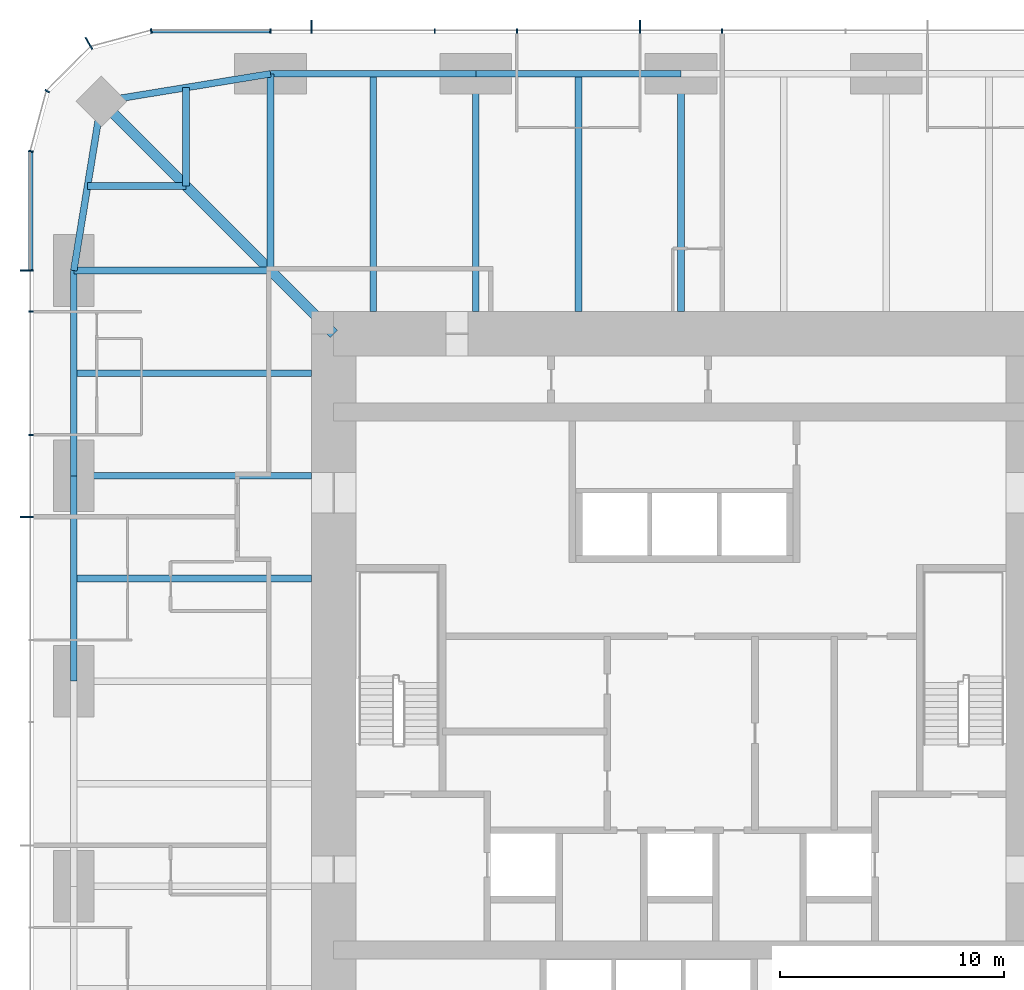
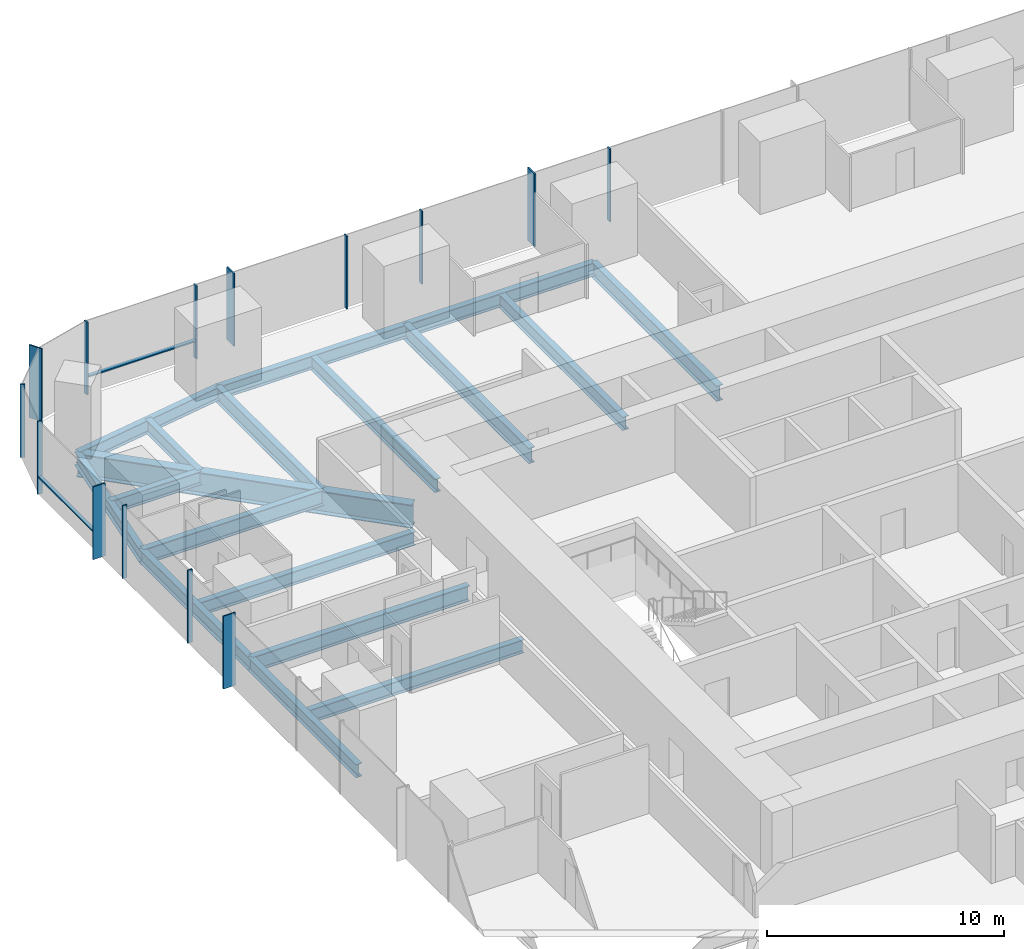
# One storey, part 5 of 13: 18 beams, 16 members, 3 elements without a shape of their own.
"""IFC4 building model written with IfcOpenShell, lengths in metres."""

from ifc_helpers import new_model, si_unit, direction, frame, origin, origin_2d, place, context, subcontext, project, spatial, rectangle, i_section, extrude, material, material_profile, profile_set, type_object, element, aggregate, save


model = new_model("IFC4")

# Units and contexts
model_context = context("Model", 3, precision=1e-05, world=origin(), true_north=direction((0.0, 1.0)))
body_context = subcontext(model_context, "Body", "Model", "MODEL_VIEW")
ifc_project = project(units=[si_unit("LENGTHUNIT", "METRE"), si_unit("AREAUNIT", "SQUARE_METRE"), si_unit("VOLUMEUNIT", "CUBIC_METRE"), si_unit("PLANEANGLEUNIT", "RADIAN"), si_unit("MASSUNIT", "GRAM", prefix="KILO")], contexts=[model_context])

# Site, building, storey
site_placement = place(None, origin())
site = spatial("IfcSite", under=ifc_project, at=site_placement, CompositionType="ELEMENT")
building_placement = place(site_placement, origin())
building = spatial("IfcBuilding", under=site, at=building_placement, Name="Khuree Lantern Residences", CompositionType="ELEMENT")
storey_placement = place(building_placement, frame((0.0, 0.0, 126.0)))
storey = spatial("IfcBuildingStorey", under=building, at=storey_placement, Name="L31", CompositionType="ELEMENT", Elevation=126.0)

# Beams
ifc_material_1 = material(Name="Steel S355", Category="steel")
ifc_material_profile_1 = material_profile(ifc_material_1, i_section(OverallWidth=0.300048828125, OverallDepth=0.68994140625, WebThickness=0.014404296875, FlangeThickness=0.027099609375, FilletRadius=0.027099609375, at=origin_2d()), Name="HE 700 A")
ifc_profile_set_1 = profile_set([ifc_material_profile_1], Name="Steel S355")
beam_type_1 = type_object("IfcBeamType", Name="B-22 SECONDARY BEAM HE 700 A", PredefinedType="BEAM", material=ifc_profile_set_1)
for number, where, z_axis, x_axis, name in (
    (1, (-13.739990234375, 27.10009765625, -0.594970703125), (0.0, -1.0, 0.0), (1.0, 0.0, 0.0), "Secondary beam N1"),
    (2, (-4.580078125, 27.10009765625, -0.594970703125), (0.0, -1.0, 0.0), (1.0, 0.0, 0.0), "Secondary beam N2"),
    (3, (-27.10009765625, 4.580078125, -0.594970703125), (1.0, 0.0, 0.0), (0.0, 1.0, 0.0), "Secondary beam W4"),
    (4, (-27.10009765625, 13.739990234375, -0.594970703125), (1.0, 0.0, 0.0), (0.0, 1.0, 0.0), "Secondary beam W5"),
):
    element("IfcBeam", number, at=place(storey_placement, frame(where, z_axis=z_axis, x_axis=x_axis)), inside=storey, type_object=beam_type_1, Name=name, PredefinedType="BEAM", context=body_context, shape_type="SweptSolid", body=[
        extrude(i_section(OverallWidth=0.300048828125, OverallDepth=0.68994140625, WebThickness=0.014404296875, FlangeThickness=0.027099609375, FilletRadius=0.027099609375, at=origin_2d()), origin(), (0.0, 0.0, 1.0), 10.60009765625),
    ])
for number, where, z_axis, x_axis, name in (
    (5, (-26.48486328125, 22.094970703125, -0.594970703125), (1.0, 0.0, 0.0), (0.0, 1.0, 0.0), "Secondary beam W6"),
    (6, (-22.094970703125, 26.48486328125, -0.594970703125), (0.0, -1.0, 0.0), (1.0, 0.0, 0.0), "Secondary beam N6"),
):
    element("IfcBeam", number, at=place(storey_placement, frame(where, z_axis=z_axis, x_axis=x_axis)), inside=storey, type_object=beam_type_1, Name=name, PredefinedType="BEAM", context=body_context, shape_type="SweptSolid", body=[
        extrude(i_section(OverallWidth=0.300048828125, OverallDepth=0.68994140625, WebThickness=0.014404296875, FlangeThickness=0.027099609375, FilletRadius=0.027099609375, at=origin_2d()), origin(), (0.0, 0.0, 1.0), 4.389892578125),
    ])
ifc_material_profile_2 = material_profile(ifc_material_1, i_section(OverallWidth=0.300048828125, OverallDepth=0.68994140625, WebThickness=0.014404296875, FlangeThickness=0.027099609375, FilletRadius=0.027099609375, at=origin_2d()), Name="HE 700 A")
ifc_profile_set_2 = profile_set([ifc_material_profile_2], Name="Steel S355")
beam_type_2 = type_object("IfcBeamType", Name="E-22 SPANDREL BEAM HE 700 A", PredefinedType="SPANDREL", material=ifc_profile_set_2)
beam_1_placement = place(storey_placement, frame((-18.320068359375, 27.10009765625, -0.594970703125), z_axis=(1.0, 0.0, 0.0), x_axis=(0.0, 1.0, 0.0)))
element("IfcBeam", 7, at=beam_1_placement, inside=storey, type_object=beam_type_2, Name="Spandrel beam N1", PredefinedType="SPANDREL", context=body_context, shape_type="SweptSolid", body=[
    extrude(i_section(OverallWidth=0.300048828125, OverallDepth=0.68994140625, WebThickness=0.014404296875, FlangeThickness=0.027099609375, FilletRadius=0.027099609375, at=origin_2d()), origin(), (0.0, 0.0, 1.0), 9.16015625),
])
for number, where, z_axis, x_axis, name in (
    (8, (-9.159912109375, 27.10009765625, -0.594970703125), (1.0, 0.0, 0.0), (0.0, 1.0, 0.0), "Spandrel beam N2"),
    (9, (-27.10009765625, 0.0, -0.594970703125), (0.0, 1.0, 0.0), (-1.0, 0.0, 0.0), "Spandrel beam W4"),
):
    element("IfcBeam", number, at=place(storey_placement, frame(where, z_axis=z_axis, x_axis=x_axis)), inside=storey, type_object=beam_type_2, Name=name, PredefinedType="SPANDREL", context=body_context, shape_type="SweptSolid", body=[
        extrude(i_section(OverallWidth=0.300048828125, OverallDepth=0.68994140625, WebThickness=0.014404296875, FlangeThickness=0.027099609375, FilletRadius=0.027099609375, at=origin_2d()), origin(), (0.0, 0.0, 1.0), 9.159912109375),
    ])
beam_2_placement = place(storey_placement, frame((-27.10009765625, 9.159912109375, -0.594970703125), z_axis=(0.0, 1.0, 0.0), x_axis=(-1.0, 0.0, 0.0)))
element("IfcBeam", 10, at=beam_2_placement, inside=storey, type_object=beam_type_2, Name="Spandrel beam W5", PredefinedType="SPANDREL", context=body_context, shape_type="SweptSolid", body=[
    extrude(i_section(OverallWidth=0.300048828125, OverallDepth=0.68994140625, WebThickness=0.014404296875, FlangeThickness=0.027099609375, FilletRadius=0.027099609375, at=origin_2d()), origin(), (0.0, 0.0, 1.0), 9.16015625),
])
for number, where, z_axis, x_axis, name in (
    (11, (-27.10009765625, 18.320068359375, -0.594970703125), (0.160826723833, 0.986982656839, 0.0), (-0.986982656839, 0.160826723833, 0.0), "Spandrel beam W6"),
    (12, (-25.869873046875, 25.869873046875, -0.594970703125), (0.986982656839, 0.160826723833, 0.0), (-0.160826723833, 0.986982656839, 0.0), "Spandrel beam N6"),
):
    element("IfcBeam", number, at=place(storey_placement, frame(where, z_axis=z_axis, x_axis=x_axis)), inside=storey, type_object=beam_type_2, Name=name, PredefinedType="SPANDREL", context=body_context, shape_type="SweptSolid", body=[
        extrude(i_section(OverallWidth=0.300048828125, OverallDepth=0.68994140625, WebThickness=0.014404296875, FlangeThickness=0.027099609375, FilletRadius=0.027099609375, at=origin_2d()), origin(), (0.0, 0.0, 1.0), 7.6494140625),
    ])

# Curtain wall, members
ifc_material_2 = material(Name="Bronze anodised aluminium", Category="aluminium")
curtain_wall_type_1 = type_object("IfcCurtainWallType", Name="CW-T1 TOWER FACE CURTAIN WALL", PredefinedType="USERDEFINED", material=ifc_material_2)
curtain_wall_1_placement = place(storey_placement, origin())
curtain_wall_1 = element("IfcCurtainWall", 13, at=curtain_wall_1_placement, inside=storey, type_object=curtain_wall_type_1, Name="L31 NORTH FACE CURTAIN WALL", ObjectType="Stick-built curtain wall", PredefinedType="USERDEFINED")
ifc_material_profile_3 = material_profile(ifc_material_2, rectangle(XDim=0.06494140625, YDim=0.60009765625, at=origin_2d()), Name="F1 65X600")
ifc_profile_set_3 = profile_set([ifc_material_profile_3], Name="Bronze anodised aluminium")
member_type_1 = type_object("IfcMemberType", Name="F1 BRONZE FIN MULLION TOWER 65X600", PredefinedType="MULLION", material=ifc_profile_set_3)
member_1_placement = place(storey_placement, frame((-1.83203125, 29.199951171875, 0.0), z_axis=(0.0, 0.0, 1.0), x_axis=(-1.0, 0.0, 0.0)))
member_1 = element("IfcMember", 14, at=member_1_placement, type_object=member_type_1, Name="L31 NORTH FACE FIN MULLION 24", PredefinedType="MULLION", context=body_context, shape_type="SweptSolid", body=[
    extrude(rectangle(XDim=0.06494140625, YDim=0.60009765625, at=origin_2d()), origin(), (0.0, 0.0, 1.0), 3.75),
])
member_2_placement = place(storey_placement, frame((-16.488037109375, 29.199951171875, 0.0), z_axis=(0.0, 0.0, 1.0), x_axis=(-1.0, 0.0, 0.0)))
member_2 = element("IfcMember", 15, at=member_2_placement, type_object=member_type_1, Name="L31 NORTH FACE FIN MULLION 27", PredefinedType="MULLION", context=body_context, shape_type="SweptSolid", body=[
    extrude(rectangle(XDim=0.06494140625, YDim=0.60009765625, at=origin_2d()), origin(), (0.0, 0.0, 1.0), 3.75),
])

# Curtain wall, member
curtain_wall_type_2 = type_object("IfcCurtainWallType", Name="CW-T2 TOWER CORNER CURTAIN WALL", PredefinedType="USERDEFINED", material=ifc_material_2)
curtain_wall_2_placement = place(storey_placement, origin())
curtain_wall_2 = element("IfcCurtainWall", 16, at=curtain_wall_2_placement, inside=storey, type_object=curtain_wall_type_2, Name="L31 NORTH-WEST CORNER CURTAIN WALL", ObjectType="Faceted corner curtain wall", PredefinedType="USERDEFINED")
member_3_placement = place(storey_placement, frame((-26.425048828125, 28.45654296875, 0.0), z_axis=(0.0, 0.0, 1.0), x_axis=(-0.866025388199, -0.500000026995, 0.0)))
member_3 = element("IfcMember", 17, at=member_3_placement, type_object=member_type_1, Name="L31 NORTH-WEST CORNER FIN MULLION 30", PredefinedType="MULLION", context=body_context, shape_type="SweptSolid", body=[
    extrude(rectangle(XDim=0.06494140625, YDim=0.60009765625, at=origin_2d()), origin(), (0.0, 0.0, 1.0), 3.75),
])

# Curtain wall, members
curtain_wall_3_placement = place(storey_placement, origin())
curtain_wall_3 = element("IfcCurtainWall", 18, at=curtain_wall_3_placement, inside=storey, type_object=curtain_wall_type_1, Name="L31 WEST FACE CURTAIN WALL", ObjectType="Stick-built curtain wall", PredefinedType="USERDEFINED")
member_4_placement = place(storey_placement, frame((-29.199951171875, 18.320068359375, 0.0), z_axis=(0.0, 0.0, 1.0), x_axis=(0.0, -1.0, 0.0)))
member_4 = element("IfcMember", 19, at=member_4_placement, type_object=member_type_1, Name="L31 WEST FACE FIN MULLION 33", PredefinedType="MULLION", context=body_context, shape_type="SweptSolid", body=[
    extrude(rectangle(XDim=0.06494140625, YDim=0.60009765625, at=origin_2d()), origin(), (0.0, 0.0, 1.0), 3.75),
])
member_5_placement = place(storey_placement, frame((-29.199951171875, 7.327880859375, 0.0), z_axis=(0.0, 0.0, 1.0), x_axis=(0.0, -1.0, 0.0)))
member_5 = element("IfcMember", 20, at=member_5_placement, type_object=member_type_1, Name="L31 WEST FACE FIN MULLION 36", PredefinedType="MULLION", context=body_context, shape_type="SweptSolid", body=[
    extrude(rectangle(XDim=0.06494140625, YDim=0.60009765625, at=origin_2d()), origin(), (0.0, 0.0, 1.0), 3.75),
])

# Beams
ifc_material_profile_4 = material_profile(ifc_material_1, i_section(OverallWidth=0.300048828125, OverallDepth=0.800048828125, WebThickness=0.017578125, FlangeThickness=0.032958984375, FilletRadius=0.030029296875, at=origin_2d()), Name="HE 800 B")
ifc_profile_set_4 = profile_set([ifc_material_profile_4], Name="Steel S355")
beam_type_3 = type_object("IfcBeamType", Name="G-22 GIRDER HE 800 B", PredefinedType="BEAM", material=ifc_profile_set_4)
beam_3_placement = place(storey_placement, frame((-18.320068359375, 27.10009765625, -0.64990234375), z_axis=(0.0, -1.0, 0.0), x_axis=(1.0, 0.0, 0.0)))
element("IfcBeam", 21, at=beam_3_placement, inside=storey, type_object=beam_type_3, Name="Girder N1", PredefinedType="BEAM", context=body_context, shape_type="SweptSolid", body=[
    extrude(i_section(OverallWidth=0.300048828125, OverallDepth=0.800048828125, WebThickness=0.017578125, FlangeThickness=0.032958984375, FilletRadius=0.030029296875, at=origin_2d()), origin(), (0.0, 0.0, 1.0), 8.780029296875),
])
for number, where, z_axis, x_axis, name in (
    (22, (-9.159912109375, 27.10009765625, -0.64990234375), (0.0, -1.0, 0.0), (1.0, 0.0, 0.0), "Girder N2"),
    (23, (0.0, 27.10009765625, -0.64990234375), (0.0, -1.0, 0.0), (1.0, 0.0, 0.0), "Girder N3"),
    (24, (-27.10009765625, 9.159912109375, -0.64990234375), (1.0, 0.0, 0.0), (0.0, 1.0, 0.0), "Girder W4"),
):
    element("IfcBeam", number, at=place(storey_placement, frame(where, z_axis=z_axis, x_axis=x_axis)), inside=storey, type_object=beam_type_3, Name=name, PredefinedType="BEAM", context=body_context, shape_type="SweptSolid", body=[
        extrude(i_section(OverallWidth=0.300048828125, OverallDepth=0.800048828125, WebThickness=0.017578125, FlangeThickness=0.032958984375, FilletRadius=0.030029296875, at=origin_2d()), origin(), (0.0, 0.0, 1.0), 10.60009765625),
    ])
beam_4_placement = place(storey_placement, frame((-27.10009765625, 18.320068359375, -0.64990234375), z_axis=(1.0, 0.0, 0.0), x_axis=(0.0, 1.0, 0.0)))
element("IfcBeam", 25, at=beam_4_placement, inside=storey, type_object=beam_type_3, Name="Girder W5", PredefinedType="BEAM", context=body_context, shape_type="SweptSolid", body=[
    extrude(i_section(OverallWidth=0.300048828125, OverallDepth=0.800048828125, WebThickness=0.017578125, FlangeThickness=0.032958984375, FilletRadius=0.030029296875, at=origin_2d()), origin(), (0.0, 0.0, 1.0), 8.780029296875),
])
ifc_material_profile_5 = material_profile(ifc_material_1, i_section(OverallWidth=0.449951171875, OverallDepth=1.199951171875, WebThickness=0.02490234375, FlangeThickness=0.044921875, at=origin_2d()), Name="WELDED I 1200X450X25X45")
ifc_profile_set_5 = profile_set([ifc_material_profile_5], Name="Steel S355")
beam_type_4 = type_object("IfcBeamType", Name="GD-22 CORNER GIRDER WELDED I 1200X450X25X45", PredefinedType="BEAM", material=ifc_profile_set_5)
beam_5_placement = place(storey_placement, frame((-25.869873046875, 25.869873046875, -0.85009765625), z_axis=(0.707106781187, -0.707106781187, 0.0), x_axis=(0.707106781187, 0.707106781187, 0.0)))
element("IfcBeam", 26, at=beam_5_placement, inside=storey, type_object=beam_type_4, Name="Corner girder NW", PredefinedType="BEAM", context=body_context, shape_type="SweptSolid", body=[
    extrude(i_section(OverallWidth=0.449951171875, OverallDepth=1.199951171875, WebThickness=0.02490234375, FlangeThickness=0.044921875, at=origin_2d()), origin(), (0.0, 0.0, 1.0), 14.665283203125),
])

# Member
ifc_material_profile_6 = material_profile(ifc_material_2, rectangle(XDim=0.06494140625, YDim=0.219970703125, at=origin_2d()), Name="M1 65X220")
ifc_profile_set_6 = profile_set([ifc_material_profile_6], Name="Bronze anodised aluminium")
member_type_2 = type_object("IfcMemberType", Name="M1 BRONZE MULLION TOWER 65X220", PredefinedType="MULLION", material=ifc_profile_set_6)
member_6_placement = place(storey_placement, frame((1.83203125, 29.010009765625, 0.0), z_axis=(0.0, 0.0, 1.0), x_axis=(-1.0, 0.0, 0.0)))
member_6 = element("IfcMember", 27, at=member_6_placement, type_object=member_type_2, Name="L31 NORTH FACE MULLION 23", PredefinedType="MULLION", context=body_context, shape_type="SweptSolid", body=[
    extrude(rectangle(XDim=0.06494140625, YDim=0.219970703125, at=origin_2d()), origin(), (0.0, 0.0, 1.0), 3.75),
])

member_7_placement = place(storey_placement, frame((-7.327880859375, 29.010009765625, 0.0), z_axis=(0.0, 0.0, 1.0), x_axis=(-1.0, 0.0, 0.0)))
member_7 = element("IfcMember", 28, at=member_7_placement, type_object=member_type_2, Name="L31 NORTH FACE MULLION 25", PredefinedType="MULLION", context=body_context, shape_type="SweptSolid", body=[
    extrude(rectangle(XDim=0.06494140625, YDim=0.219970703125, at=origin_2d()), origin(), (0.0, 0.0, 1.0), 3.75),
])

member_8_placement = place(storey_placement, frame((-10.991943359375, 29.010009765625, 0.0), z_axis=(0.0, 0.0, 1.0), x_axis=(-1.0, 0.0, 0.0)))
member_8 = element("IfcMember", 29, at=member_8_placement, type_object=member_type_2, Name="L31 NORTH FACE MULLION 26", PredefinedType="MULLION", context=body_context, shape_type="SweptSolid", body=[
    extrude(rectangle(XDim=0.06494140625, YDim=0.219970703125, at=origin_2d()), origin(), (0.0, 0.0, 1.0), 3.75),
])

member_9_placement = place(storey_placement, frame((-18.320068359375, 29.010009765625, 0.0), z_axis=(0.0, 0.0, 1.0), x_axis=(-1.0, 0.0, 0.0)))
member_9 = element("IfcMember", 30, at=member_9_placement, type_object=member_type_2, Name="L31 NORTH FACE MULLION 28", PredefinedType="MULLION", context=body_context, shape_type="SweptSolid", body=[
    extrude(rectangle(XDim=0.06494140625, YDim=0.219970703125, at=origin_2d()), origin(), (0.0, 0.0, 1.0), 3.75),
])

member_10_placement = place(storey_placement, frame((-23.64501953125, 29.01171875, 0.0), z_axis=(0.0, 0.0, 1.0), x_axis=(-0.991444857305, -0.130526223125, 0.0)))
member_10 = element("IfcMember", 31, at=member_10_placement, type_object=member_type_2, Name="L31 NORTH-WEST CORNER MULLION 29", PredefinedType="MULLION", context=body_context, shape_type="SweptSolid", body=[
    extrude(rectangle(XDim=0.06494140625, YDim=0.219970703125, at=origin_2d()), origin(), (0.0, 0.0, 1.0), 3.75),
])

member_11_placement = place(storey_placement, frame((-28.2919921875, 26.330078125, 0.0), z_axis=(0.0, 0.0, 1.0), x_axis=(-0.500000026995, -0.866025388199, 0.0)))
member_11 = element("IfcMember", 32, at=member_11_placement, type_object=member_type_2, Name="L31 NORTH-WEST CORNER MULLION 31", PredefinedType="MULLION", context=body_context, shape_type="SweptSolid", body=[
    extrude(rectangle(XDim=0.06494140625, YDim=0.219970703125, at=origin_2d()), origin(), (0.0, 0.0, 1.0), 3.75),
])

aggregate(curtain_wall_2, [member_10, member_3, member_11])

member_12_placement = place(storey_placement, frame((-29.01171875, 23.64501953125, 0.0), z_axis=(0.0, 0.0, 1.0), x_axis=(-0.130526223125, -0.991444857305, 0.0)))
member_12 = element("IfcMember", 33, at=member_12_placement, type_object=member_type_2, Name="L31 WEST FACE MULLION 32", PredefinedType="MULLION", context=body_context, shape_type="SweptSolid", body=[
    extrude(rectangle(XDim=0.06494140625, YDim=0.219970703125, at=origin_2d()), origin(), (0.0, 0.0, 1.0), 3.75),
])

member_13_placement = place(storey_placement, frame((-29.010009765625, 16.488037109375, 0.0), z_axis=(0.0, 0.0, 1.0), x_axis=(0.0, -1.0, 0.0)))
member_13 = element("IfcMember", 34, at=member_13_placement, type_object=member_type_2, Name="L31 WEST FACE MULLION 34", PredefinedType="MULLION", context=body_context, shape_type="SweptSolid", body=[
    extrude(rectangle(XDim=0.06494140625, YDim=0.219970703125, at=origin_2d()), origin(), (0.0, 0.0, 1.0), 3.75),
])

member_14_placement = place(storey_placement, frame((-29.010009765625, 10.991943359375, 0.0), z_axis=(0.0, 0.0, 1.0), x_axis=(0.0, -1.0, 0.0)))
member_14 = element("IfcMember", 35, at=member_14_placement, type_object=member_type_2, Name="L31 WEST FACE MULLION 35", PredefinedType="MULLION", context=body_context, shape_type="SweptSolid", body=[
    extrude(rectangle(XDim=0.06494140625, YDim=0.219970703125, at=origin_2d()), origin(), (0.0, 0.0, 1.0), 3.75),
])

ifc_material_profile_7 = material_profile(ifc_material_2, rectangle(XDim=0.179931640625, YDim=0.06494140625, at=origin_2d()), Name="T1 180X65")
ifc_profile_set_7 = profile_set([ifc_material_profile_7], Name="Bronze anodised aluminium")
member_type_3 = type_object("IfcMemberType", Name="TRANSOM T1 TOWER 180X65", PredefinedType="USERDEFINED", material=ifc_profile_set_7)
member_15_placement = place(storey_placement, frame((-18.3525390625, 29.02001953125, 0.89990234375), z_axis=(-1.0, 0.0, 0.0), x_axis=(0.0, -1.0, 0.0)))
member_15 = element("IfcMember", 36, at=member_15_placement, type_object=member_type_3, Name="L31 NORTH FACE TRANSOM 28.1", ObjectType="Transom", PredefinedType="USERDEFINED", context=body_context, shape_type="SweptSolid", body=[
    extrude(rectangle(XDim=0.179931640625, YDim=0.06494140625, at=origin_2d()), origin(), (0.0, 0.0, 1.0), 5.248779296875),
])

aggregate(curtain_wall_1, [member_6, member_1, member_7, member_8, member_2, member_9, member_15])

member_16_placement = place(storey_placement, frame((-29.02001953125, 23.601318359375, 0.89990234375), z_axis=(0.0, -1.0, 0.0), x_axis=(1.0, 0.0, 0.0)))
member_16 = element("IfcMember", 37, at=member_16_placement, type_object=member_type_3, Name="L31 WEST FACE TRANSOM 32.1", ObjectType="Transom", PredefinedType="USERDEFINED", context=body_context, shape_type="SweptSolid", body=[
    extrude(rectangle(XDim=0.179931640625, YDim=0.06494140625, at=origin_2d()), origin(), (0.0, 0.0, 1.0), 5.248779296875),
])

aggregate(curtain_wall_3, [member_12, member_4, member_13, member_14, member_5, member_16])

save(model, "model.ifc")
